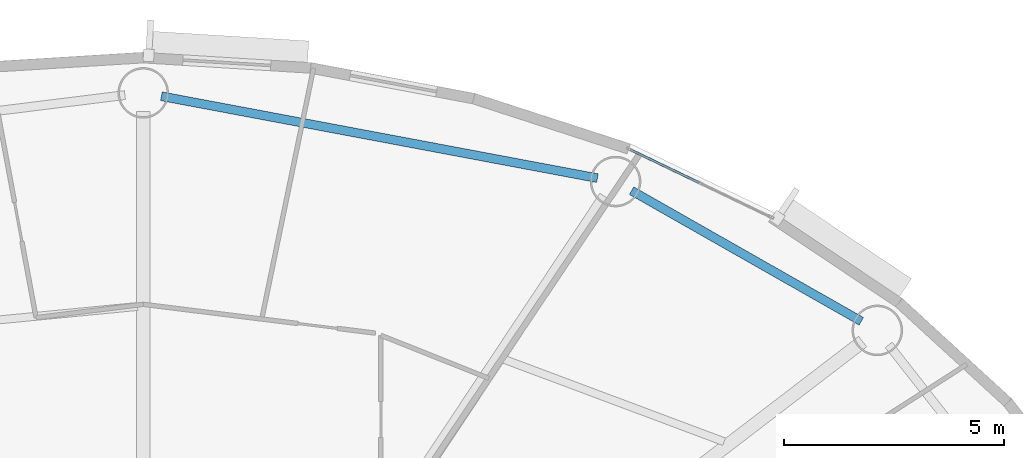
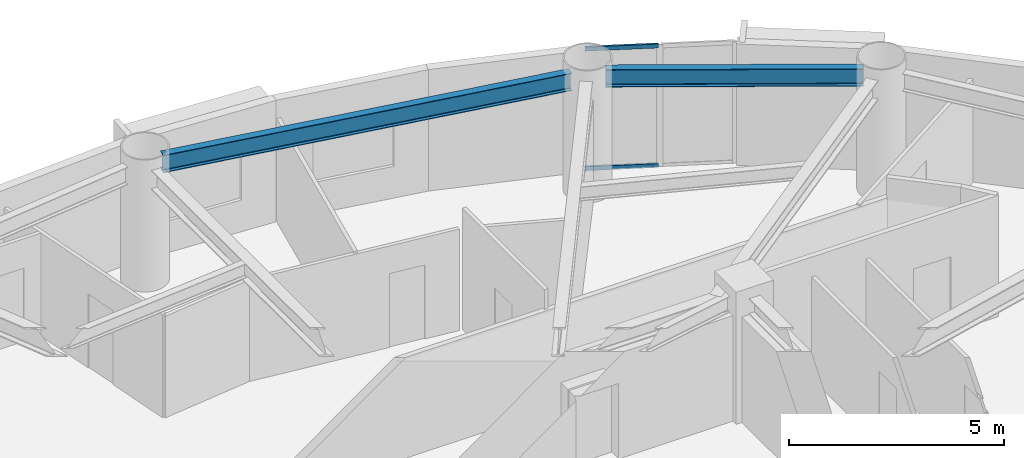
# One storey, part 4 of 18: 2 beams, 2 members, 1 element without a shape of its own.
"""IFC4 building model written with IfcOpenShell, lengths in metres."""

import ifcopenshell
import ifcopenshell.guid

model = None  # the IFC model being written
_history = None  # IfcOwnerHistory: only IFC2X3 demands one
_inside = {}  # id of a spatial element -> (the spatial element, [elements in it])
_under = {}  # id of a project, library or spatial element -> (it, [spatial elements below it])
_declared = {}  # id of a project -> (the project, [libraries it declares])
_typed = {}  # id of a type object -> (the type object, [elements of that type])
_made_of = {}  # id of a material, layer set ... -> (it, [elements and type objects made of it])


def new_model(schema):
    """Start an empty IFC model of exactly this schema.

    Asked for "IFC4X3", IfcOpenShell would pick the latest addendum, in which some entities
    have other attributes; the version numbers below select the first issue.
    IFC2X3 requires an IfcOwnerHistory on every rooted entity: one is made here for all.
    """
    global model, _history
    if schema == "IFC4X3":
        model = ifcopenshell.file(schema_version=(4, 3, 0, 0))
    else:
        model = ifcopenshell.file(schema=schema)
    _inside.clear()
    _under.clear()
    _declared.clear()
    _typed.clear()
    _made_of.clear()
    _history = None
    if model.schema == "IFC2X3":
        org = make("IfcOrganization", Name="unknown")
        user = make(
            "IfcPersonAndOrganization",
            ThePerson=make("IfcPerson", FamilyName="unknown"),
            TheOrganization=org,
        )
        app = make(
            "IfcApplication",
            ApplicationDeveloper=org,
            Version="unknown",
            ApplicationFullName="unknown",
            ApplicationIdentifier="unknown",
        )
        _history = make(
            "IfcOwnerHistory",
            OwningUser=user,
            OwningApplication=app,
            ChangeAction="ADDED",
            CreationDate=0,
        )
    return model


def make(cls, **values):
    """One entity of the class cls with the attributes given. An attribute that is None is left unset."""
    return model.create_entity(
        cls, **{name: value for name, value in values.items() if value is not None}
    )


def rooted(cls, **values):
    """An entity with a GlobalId (a new one), such as an element, a storey or a relation."""
    return make(cls, GlobalId=ifcopenshell.guid.new(), OwnerHistory=_history, **values)


def si_unit(unit_type, name, prefix=None):
    """IfcSIUnit, for example si_unit("LENGTHUNIT", "METRE", prefix="MILLI")."""
    return make("IfcSIUnit", UnitType=unit_type, Prefix=prefix, Name=name)


def assignment(units):
    """IfcUnitAssignment: the units of a project."""
    return None if units is None else make("IfcUnitAssignment", Units=units)


def point(xyz):
    """IfcCartesianPoint."""
    return None if xyz is None else make("IfcCartesianPoint", Coordinates=xyz)


def direction(xyz):
    """IfcDirection."""
    return None if xyz is None else make("IfcDirection", DirectionRatios=xyz)


def frame(location, z_axis=None, x_axis=None):
    """IfcAxis2Placement3D, a coordinate frame: its origin and axes. An axis left out is left unset."""
    return make(
        "IfcAxis2Placement3D",
        Location=point(location),
        Axis=direction(z_axis),
        RefDirection=direction(x_axis),
    )


def frame_2d(location, x_axis=None):
    """IfcAxis2Placement2D, a coordinate frame in the plane: its origin and x axis."""
    return make(
        "IfcAxis2Placement2D", Location=point(location), RefDirection=direction(x_axis)
    )


def origin():
    """The frame at (0, 0, 0) with its axes left unset."""
    return frame((0.0, 0.0, 0.0))


def origin_2d():
    """The frame at (0, 0) in the plane with its x axis left unset."""
    return frame_2d((0.0, 0.0))


def place(relative_to, where):
    """IfcLocalPlacement: puts the frame where relative to a parent placement (None: the world)."""
    return make(
        "IfcLocalPlacement", PlacementRelTo=relative_to, RelativePlacement=where
    )


def context(
    kind, dimensions, precision=None, world=None, true_north=None, identifier=None
):
    """IfcGeometricRepresentationContext, for example the 3D "Model" context."""
    return make(
        "IfcGeometricRepresentationContext",
        ContextIdentifier=identifier,
        ContextType=kind,
        CoordinateSpaceDimension=dimensions,
        Precision=precision,
        WorldCoordinateSystem=world,
        TrueNorth=true_north,
    )


def subcontext(parent, identifier, kind, view, scale=None):
    """IfcGeometricRepresentationSubContext, for example "Body" below "Model"."""
    return make(
        "IfcGeometricRepresentationSubContext",
        ContextIdentifier=identifier,
        ContextType=kind,
        ParentContext=parent,
        TargetScale=scale,
        TargetView=view,
    )


def project(units=None, contexts=None):
    """IfcProject with its units and contexts."""
    return rooted(
        "IfcProject",
        Name="project",
        RepresentationContexts=contexts,
        UnitsInContext=assignment(units),
    )


def spatial(cls, under=None, at=None, **own):
    """A site, building, storey or space (cls), placed at a placement, below another one or the project."""
    s = rooted(cls, ObjectPlacement=at, **own)
    if under is not None:
        _under.setdefault(under.id(), (under, []))[1].append(s)
    return s


def profile(cls, at=None, kind="AREA", **sizes):
    """A parametric profile (cls). Its sizes go by their IFC names, for example OverallWidth=200.0."""
    return make(cls, ProfileType=kind, Position=at, **sizes)


def hollow_rectangle(**sizes):
    """IfcRectangleHollowProfileDef."""
    return profile("IfcRectangleHollowProfileDef", **sizes)


def i_section(**sizes):
    """IfcIShapeProfileDef."""
    return profile("IfcIShapeProfileDef", **sizes)


def extrude(swept, where, along, depth):
    """IfcExtrudedAreaSolid: the profile swept, set in the frame where, extruded along a direction by depth."""
    return make(
        "IfcExtrudedAreaSolid",
        SweptArea=swept,
        Position=where,
        ExtrudedDirection=direction(along),
        Depth=depth,
    )


def shape(context_of_items, identifier, shape_type, items):
    """IfcShapeRepresentation: the items that make up one representation, for example the "Body"."""
    return make(
        "IfcShapeRepresentation",
        ContextOfItems=context_of_items,
        RepresentationIdentifier=identifier,
        RepresentationType=shape_type,
        Items=items,
    )


def source(mapping_origin, context_of_items, identifier, shape_type, items):
    """IfcRepresentationMap: a shape defined once, which mapped items show again and again."""
    return make(
        "IfcRepresentationMap",
        MappingOrigin=mapping_origin,
        MappedRepresentation=shape(context_of_items, identifier, shape_type, items),
    )


def transform(
    local_origin,
    x_axis=None,
    y_axis=None,
    z_axis=None,
    scale=None,
    scale2=None,
    scale3=None,
    uniform=True,
):
    """IfcCartesianTransformationOperator3D, or its non-uniform kind. x_axis, y_axis, z_axis: its Axis1, 2, 3."""
    if uniform:
        return make(
            "IfcCartesianTransformationOperator3D",
            Axis1=direction(x_axis),
            Axis2=direction(y_axis),
            LocalOrigin=point(local_origin),
            Scale=scale,
            Axis3=direction(z_axis),
        )
    return make(
        "IfcCartesianTransformationOperator3DnonUniform",
        Axis1=direction(x_axis),
        Axis2=direction(y_axis),
        LocalOrigin=point(local_origin),
        Scale=scale,
        Axis3=direction(z_axis),
        Scale2=scale2,
        Scale3=scale3,
    )


def mapped(mapping_source, mapping_target):
    """IfcMappedItem: shows the shape of a source again, moved by a transform."""
    return make(
        "IfcMappedItem", MappingSource=mapping_source, MappingTarget=mapping_target
    )


def material(Name=None, Category=None):
    """IfcMaterial."""
    return make("IfcMaterial", Name=Name, Category=Category)


def layer(
    of_material, thickness, ventilated=None, Name=None, Category=None, Priority=None
):
    """IfcMaterialLayer: one layer of a wall or slab, of a material (None: an air gap)."""
    return make(
        "IfcMaterialLayer",
        Material=of_material,
        LayerThickness=thickness,
        IsVentilated=ventilated,
        Name=Name,
        Category=Category,
        Priority=Priority,
    )


def layer_set(layers, Name=None):
    """IfcMaterialLayerSet."""
    return make("IfcMaterialLayerSet", MaterialLayers=layers, LayerSetName=Name)


def material_profile(
    of_material, cross_section, Name=None, Category=None, Priority=None
):
    """IfcMaterialProfile: a cross section and its material."""
    return make(
        "IfcMaterialProfile",
        Name=Name,
        Material=of_material,
        Profile=cross_section,
        Priority=Priority,
        Category=Category,
    )


def profile_set(profiles, Name=None, composite=None):
    """IfcMaterialProfileSet."""
    return make(
        "IfcMaterialProfileSet",
        Name=Name,
        MaterialProfiles=profiles,
        CompositeProfile=composite,
    )


def made_of(thing, what):
    """Note that an element or type object is made of a material, layer set ...; save() writes the relation."""
    if what is not None:
        _made_of.setdefault(what.id(), (what, []))[1].append(thing)
    return thing


def type_object(cls, material=None, **own):
    """A type object (cls), such as IfcWallType, which elements share."""
    return made_of(rooted(cls, **own), material)


def element(
    cls,
    number,
    at=None,
    inside=None,
    cuts=None,
    type_object=None,
    material=None,
    context=None,
    identifier="Body",
    shape_type=None,
    held_by="IfcProductDefinitionShape",
    body=None,
    shapes=None,
    **own,
):
    """One element of the class cls, such as IfcWall. Its Tag is "e" and its number.

    at: its placement. inside: the storey or other place that contains it. cuts: it is an
    opening in that element (IfcRelVoidsElement). A single representation is given by context,
    identifier, shape_type and body (its items); several are given by shapes. held_by: the class
    of the entity that holds the representations. save() writes the other relations.
    """
    e = rooted(cls, Tag="e%d" % number, ObjectPlacement=at, **own)
    if body is not None:
        shapes = [shape(context, identifier, shape_type, body)]
    if shapes is not None:
        e.Representation = make(held_by, Representations=shapes)
    if inside is not None:
        _inside.setdefault(inside.id(), (inside, []))[1].append(e)
    if cuts is not None:
        rooted(
            "IfcRelVoidsElement", RelatingBuildingElement=cuts, RelatedOpeningElement=e
        )
    if type_object is not None:
        _typed.setdefault(type_object.id(), (type_object, []))[1].append(e)
    return made_of(e, material)


def aggregate(whole, parts):
    """IfcRelAggregates: a whole, such as a stair, and the parts it consists of."""
    return rooted("IfcRelAggregates", RelatingObject=whole, RelatedObjects=parts)


def save(model, path):
    """Write the relations noted so far, then the file.

    IfcRelAggregates (storeys below a building ...), IfcRelContainedInSpatialStructure (elements
    in a storey), IfcRelDefinesByType, IfcRelAssociatesMaterial and IfcRelDeclares: one each for
    every whole, place, type object, material and project.
    """
    for whole, parts in _under.values():
        aggregate(whole, parts)
    for where, things in _inside.values():
        rooted(
            "IfcRelContainedInSpatialStructure",
            RelatedElements=things,
            RelatingStructure=where,
        )
    for kind, things in _typed.values():
        rooted("IfcRelDefinesByType", RelatedObjects=things, RelatingType=kind)
    for what, things in _made_of.values():
        rooted("IfcRelAssociatesMaterial", RelatedObjects=things, RelatingMaterial=what)
    for by, libraries in _declared.values():
        rooted("IfcRelDeclares", RelatingContext=by, RelatedDefinitions=libraries)
    model.write(path)


model = new_model("IFC4")

# Units and contexts
model_context = context("Model", 3, precision=1e-05, world=origin(), true_north=direction((0.0, 1.0)))
body_context = subcontext(model_context, "Body", "Model", "MODEL_VIEW")
ifc_project = project(units=[si_unit("LENGTHUNIT", "METRE"), si_unit("AREAUNIT", "SQUARE_METRE"), si_unit("VOLUMEUNIT", "CUBIC_METRE"), si_unit("PLANEANGLEUNIT", "RADIAN"), si_unit("MASSUNIT", "GRAM", prefix="KILO")], contexts=[model_context])

# Site, building, storey
site_placement = place(None, origin())
site = spatial("IfcSite", under=ifc_project, at=site_placement, CompositionType="ELEMENT")
building_placement = place(site_placement, origin())
building = spatial("IfcBuilding", under=site, at=building_placement, Name="Linh Dai School and Residence Tower", CompositionType="ELEMENT")
storey_placement = place(building_placement, frame((0.0, 0.0, 259.050048828125)))
storey = spatial("IfcBuildingStorey", under=building, at=storey_placement, Name="L64", CompositionType="ELEMENT", Elevation=259.050048828125)

# Beams
ifc_material_1 = material(Name="Structural Steel S355JR", Category="steel")
ifc_material_profile_1 = material_profile(ifc_material_1, i_section(OverallWidth=0.199951171875, OverallDepth=0.5, WebThickness=0.01025390625, FlangeThickness=0.01611328125, FilletRadius=0.02099609375, at=origin_2d()), Name="IPE 500")
ifc_profile_set_1 = profile_set([ifc_material_profile_1], Name="Structural Steel S355JR")
beam_type = type_object("IfcBeamType", Name="BM-RB50", PredefinedType="BEAM", material=ifc_profile_set_1)
beam_1_placement = place(storey_placement, frame((52.318115234375, 39.988525390625, 3.199951171875), z_axis=(-0.869297314463, 0.494289570058, 0.0), x_axis=(-0.494289570058, -0.869297314463, 0.0)))
element("IfcBeam", 1, at=beam_1_placement, inside=storey, type_object=beam_type, Name="L64 Perimeter Elliptical Ring Beam 03", PredefinedType="BEAM", context=body_context, shape_type="SweptSolid", body=[
    extrude(i_section(OverallWidth=0.199951171875, OverallDepth=0.5, WebThickness=0.01025390625, FlangeThickness=0.01611328125, FilletRadius=0.02099609375, at=origin_2d()), origin(), (0.0, 0.0, 1.0), 6.003173828125),
])
beam_2_placement = place(storey_placement, frame((46.32177734375, 43.240966796875, 3.199951171875), z_axis=(-0.982806607762, 0.184637947722, 0.0), x_axis=(-0.184637947722, -0.982806607762, 0.0)))
element("IfcBeam", 2, at=beam_2_placement, inside=storey, type_object=beam_type, Name="L64 Perimeter Elliptical Ring Beam 04", PredefinedType="BEAM", context=body_context, shape_type="SweptSolid", body=[
    extrude(i_section(OverallWidth=0.199951171875, OverallDepth=0.5, WebThickness=0.01025390625, FlangeThickness=0.01611328125, FilletRadius=0.02099609375, at=origin_2d()), origin(), (0.0, 0.0, 1.0), 10.082275390625),
])

# Curtain wall, members
ifc_material_2 = material(Name="Aluminium Anodised Curtain Wall", Category="aluminium")
ifc_layer = layer(ifc_material_2, 0.14990234375)
ifc_layer_set = layer_set([ifc_layer], Name="Aluminium Anodised Curtain Wall")
curtain_wall_type = type_object("IfcCurtainWallType", Name="CW-SYS-4", PredefinedType="USERDEFINED", material=ifc_layer_set)
curtain_wall_placement = place(storey_placement, origin())
curtain_wall = element("IfcCurtainWall", 3, at=curtain_wall_placement, inside=storey, type_object=curtain_wall_type, Name="L64 CW4 Curtain Wall 07", ObjectType="RIBBON CURTAIN WALL", PredefinedType="USERDEFINED")
ifc_material_3 = material(Name="Aluminium Alloy 6063-T6", Category="aluminium")
ifc_material_profile_2 = material_profile(ifc_material_3, hollow_rectangle(XDim=0.052001953125, YDim=0.114990234375, WallThickness=0.00390625, at=origin_2d()), Name="RHS 115x52x4")
ifc_profile_set_2 = profile_set([ifc_material_profile_2], Name="Aluminium Alloy 6063-T6")
member_type = type_object("IfcMemberType", Name="CW-SYS-4-TRN", PredefinedType="USERDEFINED", material=ifc_profile_set_2)
shared_shape = source(origin(), body_context, "Body", "SweptSolid", [
    extrude(hollow_rectangle(XDim=0.052001953125, YDim=0.114990234375, WallThickness=0.00390625, at=origin_2d()), origin(), (0.0, 0.0, 1.0), 1.723876953125),
])
member_1_placement = place(storey_placement, frame((47.077880859375, 43.884033203125, 0.02587890625), z_axis=(0.901615860476, -0.432537674819, 0.0), x_axis=(0.432537674819, 0.901615860476, 0.0)))
member_1 = element("IfcMember", 4, at=member_1_placement, type_object=member_type, Name="CW4 transom 1.1", ObjectType="TRANSOM", PredefinedType="USERDEFINED", context=body_context, shape_type="MappedRepresentation", body=[
    mapped(shared_shape, transform((0.0, 0.0, 0.0), x_axis=(1.0, 0.0, 0.0), y_axis=(0.0, 1.0, 0.0), z_axis=(0.0, 0.0, 1.0), scale=1.0)),
])
member_2_placement = place(storey_placement, frame((47.077880859375, 43.884033203125, 3.424072265625), z_axis=(0.901615860476, -0.432537674819, 0.0), x_axis=(0.432537674819, 0.901615860476, 0.0)))
member_2 = element("IfcMember", 5, at=member_2_placement, type_object=member_type, Name="CW4 transom 1.2", ObjectType="TRANSOM", PredefinedType="USERDEFINED", context=body_context, shape_type="MappedRepresentation", body=[
    mapped(shared_shape, transform((0.0, 0.0, 0.0), x_axis=(1.0, 0.0, 0.0), y_axis=(0.0, 1.0, 0.0), z_axis=(0.0, 0.0, 1.0), scale=1.0)),
])
aggregate(curtain_wall, [member_1, member_2])

save(model, "model.ifc")
